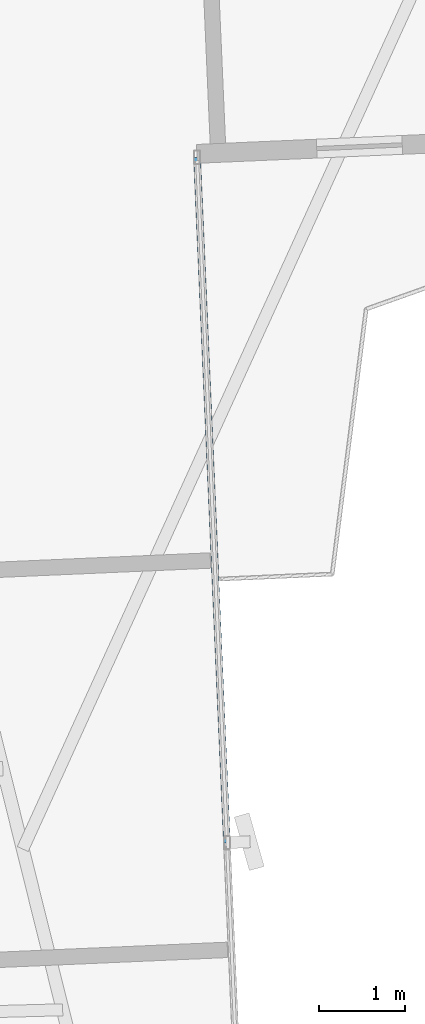
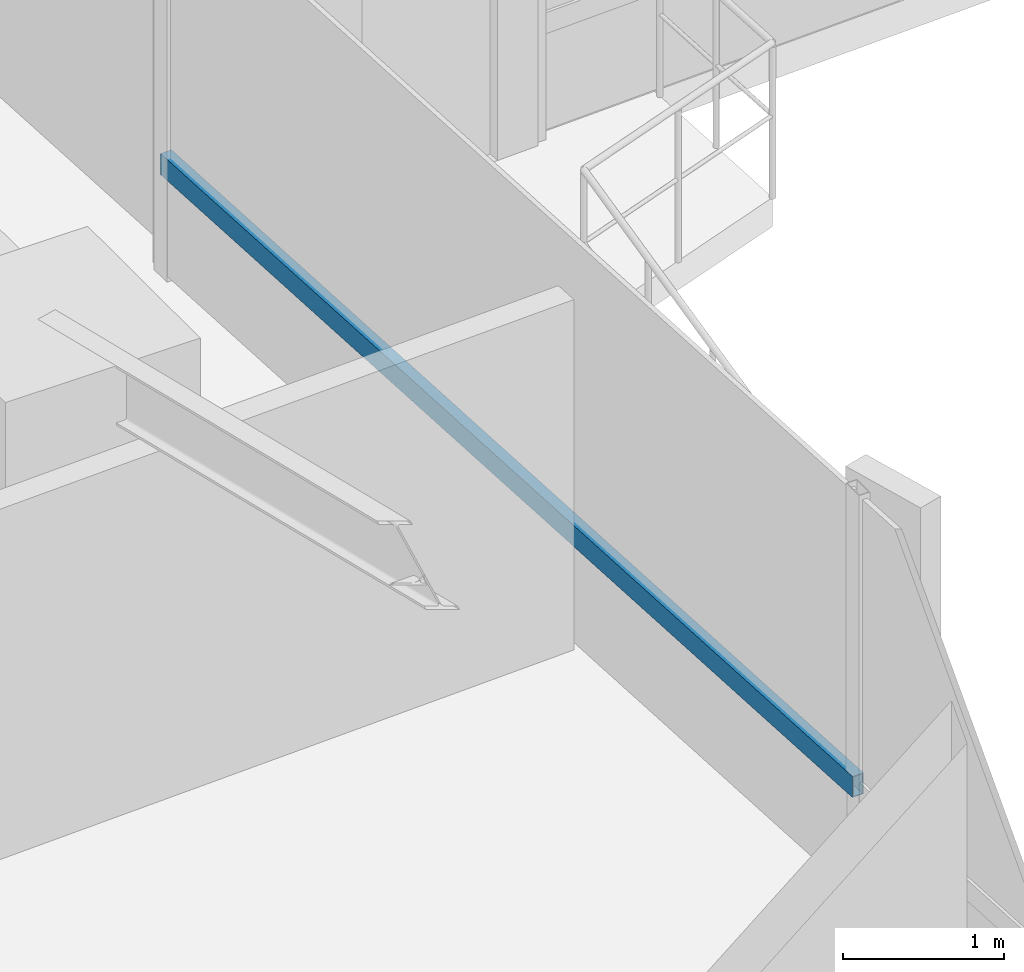
# One storey, part 7 of 26: 1 member, 1 element without a shape of its own.
"""IFC4 building model written with IfcOpenShell, lengths in metres."""

from ifc_helpers import new_model, si_unit, direction, frame, origin, origin_2d, place, context, subcontext, project, spatial, hollow_rectangle, extrude, source, transform, mapped, material, material_profile, profile_set, type_object, element, aggregate, save


model = new_model("IFC4")

# Units and contexts
model_context = context("Model", 3, precision=1e-05, world=origin(), true_north=direction((0.0, 1.0)))
body_context = subcontext(model_context, "Body", "Model", "MODEL_VIEW")
ifc_project = project(units=[si_unit("LENGTHUNIT", "METRE"), si_unit("AREAUNIT", "SQUARE_METRE"), si_unit("VOLUMEUNIT", "CUBIC_METRE"), si_unit("PLANEANGLEUNIT", "RADIAN"), si_unit("MASSUNIT", "GRAM", prefix="KILO")], contexts=[model_context])

# Site, building, storey
site_placement = place(None, origin())
site = spatial("IfcSite", under=ifc_project, at=site_placement, CompositionType="ELEMENT")
building_placement = place(site_placement, origin())
building = spatial("IfcBuilding", under=site, at=building_placement, Name="Sahyath Konkavel Grand Hotel", CompositionType="ELEMENT")
storey_placement = place(building_placement, frame((0.0, 0.0, 86.85009765625)))
storey = spatial("IfcBuildingStorey", under=building, at=storey_placement, Name="L23", CompositionType="ELEMENT", Elevation=86.85009765625)

# Curtain wall, member
ifc_material_1 = material(Name="Anodised Bronze Aluminium & Low-E Glazing", Category="aluminium")
curtain_wall_type = type_object("IfcCurtainWallType", Name="CW-ZONE2", PredefinedType="NOTDEFINED", material=ifc_material_1)
curtain_wall_placement = place(storey_placement, origin())
curtain_wall = element("IfcCurtainWall", 1, at=curtain_wall_placement, inside=storey, type_object=curtain_wall_type, Name="L23 Unitised Curtain Wall F31", PredefinedType="NOTDEFINED")
ifc_material_2 = material(Name="Anodised Bronze Aluminium", Category="aluminium")
ifc_material_profile = material_profile(ifc_material_2, hollow_rectangle(XDim=0.080078125, YDim=0.159912109375, WallThickness=0.006103515625, at=origin_2d()), Name="RHS 160x80x6")
ifc_profile_set = profile_set([ifc_material_profile], Name="Anodised Bronze Aluminium")
member_type = type_object("IfcMemberType", Name="CW-TRN-160", PredefinedType="USERDEFINED", material=ifc_profile_set)
shared_shape = source(origin(), body_context, "Body", "SweptSolid", [
    extrude(hollow_rectangle(XDim=0.080078125, YDim=0.159912109375, WallThickness=0.006103515625, at=origin_2d()), origin(), (0.0, 0.0, 1.0), 8.010009765625),
])
member_placement = place(storey_placement, frame((7.232666015625, -14.34814453125, 0.849853515625), z_axis=(-0.043615785896, 0.999048378819, 0.0), x_axis=(-0.999048378819, -0.043615785896, 0.0)))
member = element("IfcMember", 2, at=member_placement, type_object=member_type, Name="L23 Curtain Wall Transom F31-1-spandrel", ObjectType="TRANSOM", PredefinedType="USERDEFINED", context=body_context, shape_type="MappedRepresentation", body=[
    mapped(shared_shape, transform((0.0, 0.0, 0.0), scale=1.0)),
])
aggregate(curtain_wall, [member])

save(model, "model.ifc")
